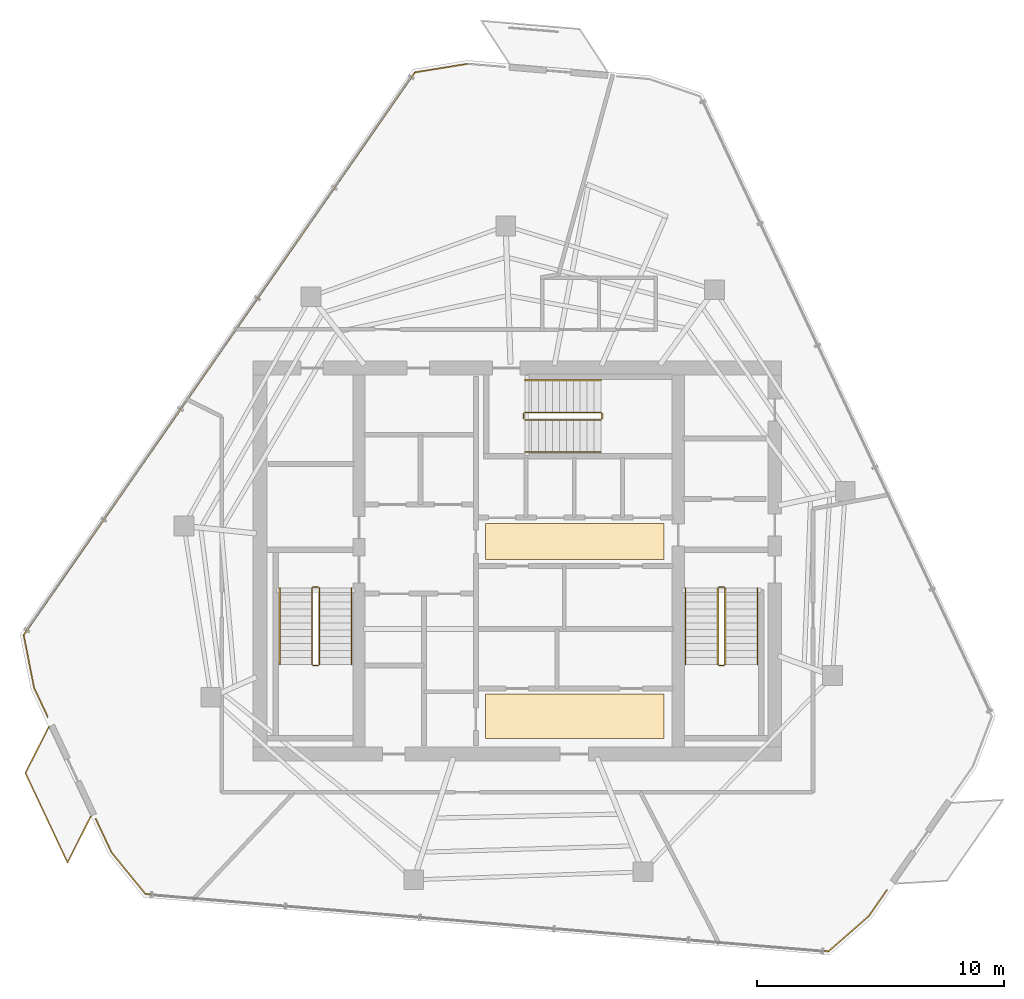
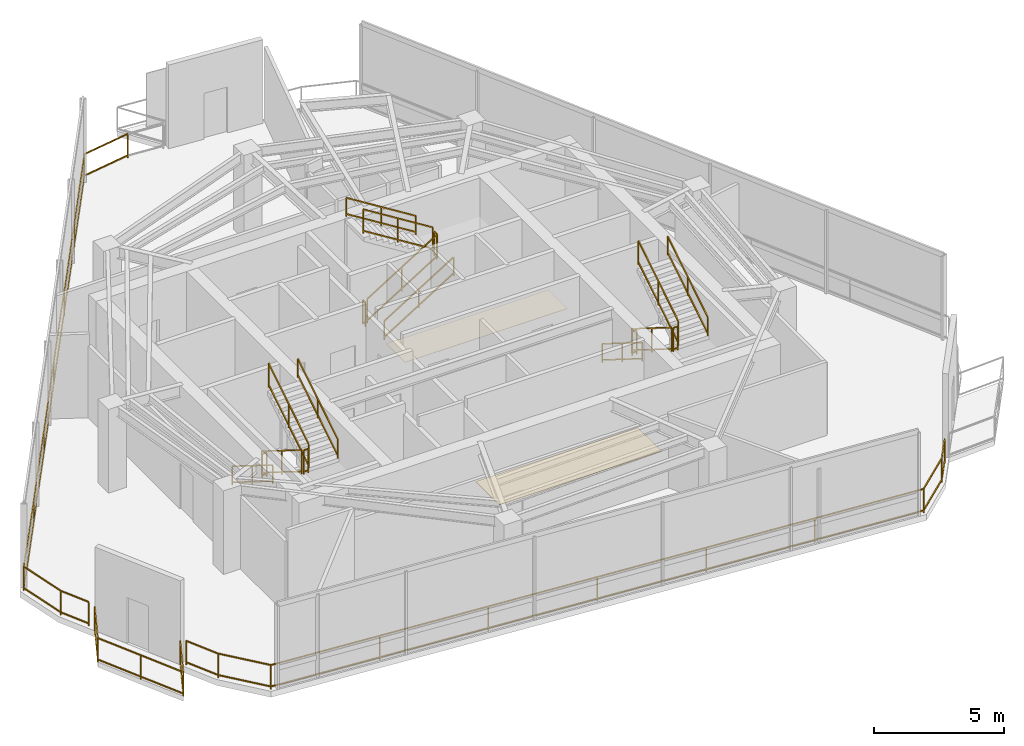
# One storey, part 18 of 19: 21 railings, 2 coverings.
"""IFC4 building model written with IfcOpenShell, lengths in metres."""

from ifc_helpers import new_model, si_unit, direction, frame, origin, origin_2d, place, context, subcontext, project, spatial, rectangle, extrude, material, layer, layer_set, type_object, element, save


model = new_model("IFC4")

# Units and contexts
model_context = context("Model", 3, precision=1e-05, world=origin(), true_north=direction((0.0, 1.0)))
body_context = subcontext(model_context, "Body", "Model", "MODEL_VIEW")
ifc_project = project(units=[si_unit("LENGTHUNIT", "METRE"), si_unit("AREAUNIT", "SQUARE_METRE"), si_unit("VOLUMEUNIT", "CUBIC_METRE"), si_unit("PLANEANGLEUNIT", "RADIAN"), si_unit("MASSUNIT", "GRAM", prefix="KILO")], contexts=[model_context])

# Site, building, storey
site_placement = place(None, origin())
site = spatial("IfcSite", under=ifc_project, at=site_placement, CompositionType="ELEMENT")
building_placement = place(site_placement, origin())
building = spatial("IfcBuilding", under=site, at=building_placement, Name="Qarnah Convention Tower", CompositionType="ELEMENT")
storey_placement = place(building_placement, frame((0.0, 0.0, 275.10009765625)))
storey = spatial("IfcBuildingStorey", under=building, at=storey_placement, Name="L74", CompositionType="ELEMENT", Elevation=275.10009765625)

# Coverings
ifc_material_1 = material(Name="Mineral fibre acoustic ceiling")
ifc_layer_1 = layer(ifc_material_1, 0.02001953125)
ifc_layer_set_1 = layer_set([ifc_layer_1], Name="Mineral fibre acoustic ceiling")
covering_type_1 = type_object("IfcCoveringType", Name="COV-CEIL-20", PredefinedType="CEILING", material=ifc_layer_set_1)
covering_1_placement = place(storey_placement, frame((39.52001953125, 27.179931640625, 2.289794921875), z_axis=(0.0, 0.0, 1.0), x_axis=(1.0, 0.0, 0.0)))
element("IfcCovering", 1, at=covering_1_placement, inside=storey, type_object=covering_type_1, Name="L74 lift lobby acoustic ceiling", PredefinedType="CEILING", context=body_context, shape_type="SweptSolid", body=[
    extrude(rectangle(XDim=7.199951171875, YDim=1.449951171875, at=origin_2d()), origin(), (0.0, 0.0, 1.0), 0.02001953125),
])
ifc_material_2 = material(Name="Porcelain stone floor tile", Category="masonry")
ifc_layer_2 = layer(ifc_material_2, 0.02001953125)
ifc_layer_set_2 = layer_set([ifc_layer_2], Name="Porcelain stone floor tile")
covering_type_2 = type_object("IfcCoveringType", Name="COV-FLOOR-20", PredefinedType="FLOORING", material=ifc_layer_set_2)
covering_2_placement = place(storey_placement, frame((39.52001953125, 20.1201171875, 0.0), z_axis=(0.0, 0.0, 1.0), x_axis=(1.0, 0.0, 0.0)))
element("IfcCovering", 2, at=covering_2_placement, inside=storey, type_object=covering_type_2, Name="L74 lift lobby porcelain stone flooring", PredefinedType="FLOORING", context=body_context, shape_type="SweptSolid", body=[
    extrude(rectangle(XDim=7.199951171875, YDim=1.800048828125, at=origin_2d()), origin(), (0.0, 0.0, 1.0), 0.02001953125),
])

# Railings
ifc_material_3 = material(Name="Black anodised aluminium", Category="aluminium")
railing_type_1 = type_object("IfcRailingType", Name="RL-EXT-GUARD-1150", PredefinedType="GUARDRAIL", material=ifc_material_3)
railing_1_placement = place(storey_placement, frame((52.14208984375, 13.111083984375, 0.0)))
element("IfcRailing", 3, at=railing_1_placement, inside=storey, type_object=railing_type_1, Name="L74 slab-edge perimeter safety guard 03", PredefinedType="GUARDRAIL", context=body_context, shape_type="SweptSolid", body=[
    extrude(rectangle(XDim=0.048095703125, YDim=0.048095703125, at=origin_2d()), frame((0.0, 0.0, 1.1259765625), z_axis=(-0.570671719392, -0.821178292873, 0.0), x_axis=(0.821178292873, -0.570671719392, 0.0)), (0.0, 0.0, 1.0), 1.293212890625),
    extrude(rectangle(XDim=0.048095703125, YDim=0.048095703125, at=origin_2d()), frame((0.0, 0.0, 0.1201171875), z_axis=(-0.570671719392, -0.821178292873, 0.0), x_axis=(0.821178292873, -0.570671719392, 0.0)), (0.0, 0.0, 1.0), 1.293212890625),
    extrude(rectangle(XDim=0.048095703125, YDim=0.048095703125, at=origin_2d()), frame((-0.738037109375, -1.06201171875, 1.1259765625), z_axis=(-0.752430079537, -0.658672130432, 0.0), x_axis=(0.658672130432, -0.752430079537, 0.0)), (0.0, 0.0, 1.0), 2.16650390625),
    extrude(rectangle(XDim=0.048095703125, YDim=0.048095703125, at=origin_2d()), frame((-0.738037109375, -1.06201171875, 0.1201171875), z_axis=(-0.752430079537, -0.658672130432, 0.0), x_axis=(0.658672130432, -0.752430079537, 0.0)), (0.0, 0.0, 1.0), 2.16650390625),
    extrude(rectangle(XDim=0.048095703125, YDim=0.048095703125, at=origin_2d()), frame((-2.3681640625, -2.489013671875, 1.1259765625), z_axis=(-0.996489978798, 0.083712138637, 0.0), x_axis=(-0.083712138637, -0.996489978798, 0.0)), (0.0, 0.0, 1.0), 27.7001953125),
    extrude(rectangle(XDim=0.048095703125, YDim=0.048095703125, at=origin_2d()), frame((-2.3681640625, -2.489013671875, 0.1201171875), z_axis=(-0.996489978798, 0.083712138637, 0.0), x_axis=(-0.083712138637, -0.996489978798, 0.0)), (0.0, 0.0, 1.0), 27.7001953125),
    extrude(rectangle(XDim=0.048095703125, YDim=0.048095703125, at=origin_2d()), frame((-29.97119140625, -0.170166015625, 1.1259765625), z_axis=(-0.632402715703, 0.774639790594, 0.0), x_axis=(-0.774639790594, -0.632402715703, 0.0)), (0.0, 0.0, 1.0), 2.166259765625),
    extrude(rectangle(XDim=0.048095703125, YDim=0.048095703125, at=origin_2d()), frame((-29.97119140625, -0.170166015625, 0.1201171875), z_axis=(-0.632402715703, 0.774639790594, 0.0), x_axis=(-0.774639790594, -0.632402715703, 0.0)), (0.0, 0.0, 1.0), 2.166259765625),
    extrude(rectangle(XDim=0.048095703125, YDim=0.048095703125, at=origin_2d()), frame((-31.341064453125, 1.5078125, 1.1259765625), z_axis=(-0.425593785135, 0.904914321941, 0.0), x_axis=(-0.904914321941, -0.425593785135, 0.0)), (0.0, 0.0, 1.0), 1.504150390625),
    extrude(rectangle(XDim=0.048095703125, YDim=0.048095703125, at=origin_2d()), frame((-31.341064453125, 1.5078125, 0.1201171875), z_axis=(-0.425593785135, 0.904914321941, 0.0), x_axis=(-0.904914321941, -0.425593785135, 0.0)), (0.0, 0.0, 1.0), 1.504150390625),
    extrude(rectangle(XDim=0.0419921875, YDim=0.0419921875, at=origin_2d()), origin(), (0.0, 0.0, 1.0), 1.101806640625),
    extrude(rectangle(XDim=0.0419921875, YDim=0.0419921875, at=origin_2d()), frame((-0.738037109375, -1.06201171875, 0.0)), (0.0, 0.0, 1.0), 1.101806640625),
    extrude(rectangle(XDim=0.0419921875, YDim=0.0419921875, at=origin_2d()), frame((-2.3681640625, -2.489013671875, 0.0)), (0.0, 0.0, 1.0), 1.101806640625),
    extrude(rectangle(XDim=0.0419921875, YDim=0.0419921875, at=origin_2d()), frame((-6.96875, -2.1025390625, 0.0)), (0.0, 0.0, 1.0), 1.101806640625),
    extrude(rectangle(XDim=0.0419921875, YDim=0.0419921875, at=origin_2d()), frame((-11.569091796875, -1.716064453125, 0.0)), (0.0, 0.0, 1.0), 1.101806640625),
    extrude(rectangle(XDim=0.0419921875, YDim=0.0419921875, at=origin_2d()), frame((-16.169677734375, -1.32958984375, 0.0)), (0.0, 0.0, 1.0), 1.101806640625),
    extrude(rectangle(XDim=0.0419921875, YDim=0.0419921875, at=origin_2d()), frame((-20.770263671875, -0.943115234375, 0.0)), (0.0, 0.0, 1.0), 1.101806640625),
    extrude(rectangle(XDim=0.0419921875, YDim=0.0419921875, at=origin_2d()), frame((-25.37060546875, -0.556640625, 0.0)), (0.0, 0.0, 1.0), 1.101806640625),
    extrude(rectangle(XDim=0.0419921875, YDim=0.0419921875, at=origin_2d()), frame((-29.97119140625, -0.170166015625, 0.0)), (0.0, 0.0, 1.0), 1.101806640625),
    extrude(rectangle(XDim=0.0419921875, YDim=0.0419921875, at=origin_2d()), frame((-31.341064453125, 1.5078125, 0.0)), (0.0, 0.0, 1.0), 1.101806640625),
    extrude(rectangle(XDim=0.0419921875, YDim=0.0419921875, at=origin_2d()), frame((-31.981201171875, 2.868896484375, 0.0)), (0.0, 0.0, 1.0), 1.101806640625),
])
railing_2_placement = place(storey_placement, frame((18.219970703125, 20.10400390625, 0.0)))
element("IfcRailing", 4, at=railing_2_placement, inside=storey, type_object=railing_type_1, Name="L74 slab-edge perimeter safety guard 04", PredefinedType="GUARDRAIL", context=body_context, shape_type="SweptSolid", body=[
    extrude(rectangle(XDim=0.048095703125, YDim=0.048095703125, at=origin_2d()), frame((0.0, 0.0, 1.1259765625), z_axis=(-0.425478693675, 0.904968442118, 0.0), x_axis=(-0.904968442118, -0.425478693675, 0.0)), (0.0, 0.0, 1.0), 1.292724609375),
    extrude(rectangle(XDim=0.048095703125, YDim=0.048095703125, at=origin_2d()), frame((0.0, 0.0, 0.1201171875), z_axis=(-0.425478693675, 0.904968442118, 0.0), x_axis=(-0.904968442118, -0.425478693675, 0.0)), (0.0, 0.0, 1.0), 1.292724609375),
    extrude(rectangle(XDim=0.048095703125, YDim=0.048095703125, at=origin_2d()), frame((-0.550048828125, 1.169921875, 1.1259765625), z_axis=(-0.194209372311, 0.980960100976, 0.0), x_axis=(-0.980960100976, -0.194209372311, 0.0)), (0.0, 0.0, 1.0), 2.167236328125),
    extrude(rectangle(XDim=0.048095703125, YDim=0.048095703125, at=origin_2d()), frame((-0.550048828125, 1.169921875, 0.1201171875), z_axis=(-0.194209372311, 0.980960100976, 0.0), x_axis=(-0.980960100976, -0.194209372311, 0.0)), (0.0, 0.0, 1.0), 2.167236328125),
    extrude(rectangle(XDim=0.048095703125, YDim=0.048095703125, at=origin_2d()), frame((-0.970947265625, 3.2958984375, 1.1259765625), z_axis=(0.570733377059, 0.821135440905, 0.0), x_axis=(-0.821135440905, 0.570733377059, 0.0)), (0.0, 0.0, 1.0), 27.69970703125),
    extrude(rectangle(XDim=0.048095703125, YDim=0.048095703125, at=origin_2d()), frame((-0.970947265625, 3.2958984375, 0.1201171875), z_axis=(0.570733377059, 0.821135440905, 0.0), x_axis=(-0.821135440905, 0.570733377059, 0.0)), (0.0, 0.0, 1.0), 27.69970703125),
    extrude(rectangle(XDim=0.048095703125, YDim=0.048095703125, at=origin_2d()), frame((14.838134765625, 26.041015625, 1.1259765625), z_axis=(0.987088624458, 0.16017505257, 0.0), x_axis=(-0.16017505257, 0.987088624458, 0.0)), (0.0, 0.0, 1.0), 2.166015625),
    extrude(rectangle(XDim=0.048095703125, YDim=0.048095703125, at=origin_2d()), frame((14.838134765625, 26.041015625, 0.1201171875), z_axis=(0.987088624458, 0.16017505257, 0.0), x_axis=(-0.16017505257, 0.987088624458, 0.0)), (0.0, 0.0, 1.0), 2.166015625),
    extrude(rectangle(XDim=0.0419921875, YDim=0.0419921875, at=origin_2d()), origin(), (0.0, 0.0, 1.0), 1.101806640625),
    extrude(rectangle(XDim=0.0419921875, YDim=0.0419921875, at=origin_2d()), frame((-0.550048828125, 1.169921875, 0.0)), (0.0, 0.0, 1.0), 1.101806640625),
    extrude(rectangle(XDim=0.0419921875, YDim=0.0419921875, at=origin_2d()), frame((-0.970947265625, 3.2958984375, 0.0)), (0.0, 0.0, 1.0), 1.101806640625),
    extrude(rectangle(XDim=0.0419921875, YDim=0.0419921875, at=origin_2d()), frame((1.663818359375, 7.086669921875, 0.0)), (0.0, 0.0, 1.0), 1.101806640625),
    extrude(rectangle(XDim=0.0419921875, YDim=0.0419921875, at=origin_2d()), frame((4.298828125, 10.877685546875, 0.0)), (0.0, 0.0, 1.0), 1.101806640625),
    extrude(rectangle(XDim=0.0419921875, YDim=0.0419921875, at=origin_2d()), frame((6.93359375, 14.66845703125, 0.0)), (0.0, 0.0, 1.0), 1.101806640625),
    extrude(rectangle(XDim=0.0419921875, YDim=0.0419921875, at=origin_2d()), frame((9.568359375, 18.459228515625, 0.0)), (0.0, 0.0, 1.0), 1.101806640625),
    extrude(rectangle(XDim=0.0419921875, YDim=0.0419921875, at=origin_2d()), frame((12.203369140625, 22.250244140625, 0.0)), (0.0, 0.0, 1.0), 1.101806640625),
    extrude(rectangle(XDim=0.0419921875, YDim=0.0419921875, at=origin_2d()), frame((14.838134765625, 26.041015625, 0.0)), (0.0, 0.0, 1.0), 1.101806640625),
    extrude(rectangle(XDim=0.0419921875, YDim=0.0419921875, at=origin_2d()), frame((16.97607421875, 26.387939453125, 0.0)), (0.0, 0.0, 1.0), 1.101806640625),
])
railing_3_placement = place(storey_placement, frame((19.965087890625, 16.0791015625, 0.0)))
element("IfcRailing", 5, at=railing_3_placement, inside=storey, type_object=railing_type_1, Name="L74 balcony safety guard BAL-L74-C2", PredefinedType="GUARDRAIL", context=body_context, shape_type="SweptSolid", body=[
    extrude(rectangle(XDim=0.048095703125, YDim=0.048095703125, at=origin_2d()), frame((0.0, 0.0, 1.1259765625), z_axis=(-0.451035197524, -0.892506162777, 0.0), x_axis=(0.892506162777, -0.451035197524, 0.0)), (0.0, 0.0, 1.0), 2.09326171875),
    extrude(rectangle(XDim=0.048095703125, YDim=0.048095703125, at=origin_2d()), frame((0.0, 0.0, 0.1201171875), z_axis=(-0.451035197524, -0.892506162777, 0.0), x_axis=(0.892506162777, -0.451035197524, 0.0)), (0.0, 0.0, 1.0), 2.09326171875),
    extrude(rectangle(XDim=0.048095703125, YDim=0.048095703125, at=origin_2d()), frame((-0.944091796875, -1.8681640625, 1.1259765625), z_axis=(-0.425747063237, 0.904842217265, 0.0), x_axis=(-0.904842217265, -0.425747063237, 0.0)), (0.0, 0.0, 1.0), 3.999755859375),
    extrude(rectangle(XDim=0.048095703125, YDim=0.048095703125, at=origin_2d()), frame((-0.944091796875, -1.8681640625, 0.1201171875), z_axis=(-0.425747063237, 0.904842217265, 0.0), x_axis=(-0.904842217265, -0.425747063237, 0.0)), (0.0, 0.0, 1.0), 3.999755859375),
    extrude(rectangle(XDim=0.048095703125, YDim=0.048095703125, at=origin_2d()), frame((-2.64697265625, 1.7509765625, 1.1259765625), z_axis=(0.450801476323, 0.892624237261, 0.0), x_axis=(-0.892624237261, 0.450801476323, 0.0)), (0.0, 0.0, 1.0), 2.09375),
    extrude(rectangle(XDim=0.048095703125, YDim=0.048095703125, at=origin_2d()), frame((-2.64697265625, 1.7509765625, 0.1201171875), z_axis=(0.450801476323, 0.892624237261, 0.0), x_axis=(-0.892624237261, 0.450801476323, 0.0)), (0.0, 0.0, 1.0), 2.09375),
    extrude(rectangle(XDim=0.0419921875, YDim=0.0419921875, at=origin_2d()), origin(), (0.0, 0.0, 1.0), 1.101806640625),
    extrude(rectangle(XDim=0.0419921875, YDim=0.0419921875, at=origin_2d()), frame((-0.944091796875, -1.8681640625, 0.0)), (0.0, 0.0, 1.0), 1.101806640625),
    extrude(rectangle(XDim=0.0419921875, YDim=0.0419921875, at=origin_2d()), frame((-1.79541015625, -0.05859375, 0.0)), (0.0, 0.0, 1.0), 1.101806640625),
    extrude(rectangle(XDim=0.0419921875, YDim=0.0419921875, at=origin_2d()), frame((-2.64697265625, 1.7509765625, 0.0)), (0.0, 0.0, 1.0), 1.101806640625),
    extrude(rectangle(XDim=0.0419921875, YDim=0.0419921875, at=origin_2d()), frame((-1.703125, 3.619873046875, 0.0)), (0.0, 0.0, 1.0), 1.101806640625),
])
ifc_material_4 = material(Name="Structural steel S355JR", Category="steel")
railing_type_2 = type_object("IfcRailingType", Name="RL-STAIR-GUARD-1150", PredefinedType="GUARDRAIL", material=ifc_material_4)
railing_4_placement = place(storey_placement, frame((28.89990234375, 25.300048828125, 0.1748046875)))
element("IfcRailing", 6, at=railing_4_placement, inside=storey, type_object=railing_type_2, Name="L74 ST-1 stair guard 1", PredefinedType="GUARDRAIL", context=body_context, shape_type="SweptSolid", body=[
    extrude(rectangle(XDim=0.048095703125, YDim=0.048095703125, at=origin_2d()), frame((0.0, 0.0, 1.1259765625), z_axis=(0.0, -0.847998304005, 0.529998940003), x_axis=(1.0, 0.0, 0.0)), (0.0, 0.0, 1.0), 3.632080078125),
    extrude(rectangle(XDim=0.048095703125, YDim=0.048095703125, at=origin_2d()), frame((0.0, 0.0, 0.1201171875), z_axis=(0.0, -0.847998304005, 0.529998940003), x_axis=(1.0, 0.0, 0.0)), (0.0, 0.0, 1.0), 3.632080078125),
    extrude(rectangle(XDim=0.0419921875, YDim=0.0419921875, at=origin_2d()), origin(), (0.0, 0.0, 1.0), 1.101806640625),
    extrude(rectangle(XDim=0.0419921875, YDim=0.0419921875, at=origin_2d()), frame((0.0, -1.5400390625, 0.96240234375)), (0.0, 0.0, 1.0), 1.101806640625),
    extrude(rectangle(XDim=0.0419921875, YDim=0.0419921875, at=origin_2d()), frame((0.0, -3.080078125, 1.925048828125)), (0.0, 0.0, 1.0), 1.101806640625),
])
railing_5_placement = place(storey_placement, frame((28.949951171875, 22.169921875, 2.099853515625)))
element("IfcRailing", 7, at=railing_5_placement, inside=storey, type_object=railing_type_2, Name="L74 ST-1 stair guard 2", PredefinedType="GUARDRAIL", context=body_context, shape_type="SweptSolid", body=[
    extrude(rectangle(XDim=0.048095703125, YDim=0.048095703125, at=origin_2d()), frame((0.0, 0.0, 1.1259765625), z_axis=(1.0, 0.0, 0.0), x_axis=(0.0, 1.0, 0.0)), (0.0, 0.0, 1.0), 0.199951171875),
    extrude(rectangle(XDim=0.048095703125, YDim=0.048095703125, at=origin_2d()), frame((0.0, 0.0, 0.1201171875), z_axis=(1.0, 0.0, 0.0), x_axis=(0.0, 1.0, 0.0)), (0.0, 0.0, 1.0), 0.199951171875),
    extrude(rectangle(XDim=0.0419921875, YDim=0.0419921875, at=origin_2d()), origin(), (0.0, 0.0, 1.0), 1.101806640625),
    extrude(rectangle(XDim=0.0419921875, YDim=0.0419921875, at=origin_2d()), frame((0.199951171875, 0.0, 0.0)), (0.0, 0.0, 1.0), 1.101806640625),
])
railing_6_placement = place(storey_placement, frame((29.199951171875, 22.219970703125, 2.27490234375)))
element("IfcRailing", 8, at=railing_6_placement, inside=storey, type_object=railing_type_2, Name="L74 ST-1 stair guard 3", PredefinedType="GUARDRAIL", context=body_context, shape_type="SweptSolid", body=[
    extrude(rectangle(XDim=0.048095703125, YDim=0.048095703125, at=origin_2d()), frame((0.0, 0.0, 1.1259765625), z_axis=(0.0, 0.847998304005, 0.529998940003), x_axis=(-1.0, 0.0, 0.0)), (0.0, 0.0, 1.0), 3.632080078125),
    extrude(rectangle(XDim=0.048095703125, YDim=0.048095703125, at=origin_2d()), frame((0.0, 0.0, 0.1201171875), z_axis=(0.0, 0.847998304005, 0.529998940003), x_axis=(-1.0, 0.0, 0.0)), (0.0, 0.0, 1.0), 3.632080078125),
    extrude(rectangle(XDim=0.0419921875, YDim=0.0419921875, at=origin_2d()), origin(), (0.0, 0.0, 1.0), 1.101806640625),
    extrude(rectangle(XDim=0.0419921875, YDim=0.0419921875, at=origin_2d()), frame((0.0, 1.5400390625, 0.96240234375)), (0.0, 0.0, 1.0), 1.101806640625),
    extrude(rectangle(XDim=0.0419921875, YDim=0.0419921875, at=origin_2d()), frame((0.0, 3.080078125, 1.925048828125)), (0.0, 0.0, 1.0), 1.101806640625),
])
railing_7_placement = place(storey_placement, frame((28.949951171875, 25.35009765625, 0.0)))
element("IfcRailing", 9, at=railing_7_placement, inside=storey, type_object=railing_type_2, Name="L74 ST-1 stair guard 4", PredefinedType="GUARDRAIL", context=body_context, shape_type="SweptSolid", body=[
    extrude(rectangle(XDim=0.048095703125, YDim=0.048095703125, at=origin_2d()), frame((0.0, 0.0, 1.1259765625), z_axis=(1.0, 0.0, 0.0), x_axis=(0.0, 1.0, 0.0)), (0.0, 0.0, 1.0), 0.199951171875),
    extrude(rectangle(XDim=0.048095703125, YDim=0.048095703125, at=origin_2d()), frame((0.0, 0.0, 0.1201171875), z_axis=(1.0, 0.0, 0.0), x_axis=(0.0, 1.0, 0.0)), (0.0, 0.0, 1.0), 0.199951171875),
    extrude(rectangle(XDim=0.0419921875, YDim=0.0419921875, at=origin_2d()), origin(), (0.0, 0.0, 1.0), 1.101806640625),
    extrude(rectangle(XDim=0.0419921875, YDim=0.0419921875, at=origin_2d()), frame((0.199951171875, 0.0, 0.0)), (0.0, 0.0, 1.0), 1.101806640625),
])
railing_8_placement = place(storey_placement, frame((45.300048828125, 25.300048828125, 0.1748046875)))
element("IfcRailing", 10, at=railing_8_placement, inside=storey, type_object=railing_type_2, Name="L74 ST-2 stair guard 1", PredefinedType="GUARDRAIL", context=body_context, shape_type="SweptSolid", body=[
    extrude(rectangle(XDim=0.048095703125, YDim=0.048095703125, at=origin_2d()), frame((0.0, 0.0, 1.1259765625), z_axis=(0.0, -0.847998304005, 0.529998940003), x_axis=(1.0, 0.0, 0.0)), (0.0, 0.0, 1.0), 3.632080078125),
    extrude(rectangle(XDim=0.048095703125, YDim=0.048095703125, at=origin_2d()), frame((0.0, 0.0, 0.1201171875), z_axis=(0.0, -0.847998304005, 0.529998940003), x_axis=(1.0, 0.0, 0.0)), (0.0, 0.0, 1.0), 3.632080078125),
    extrude(rectangle(XDim=0.0419921875, YDim=0.0419921875, at=origin_2d()), origin(), (0.0, 0.0, 1.0), 1.101806640625),
    extrude(rectangle(XDim=0.0419921875, YDim=0.0419921875, at=origin_2d()), frame((0.0, -1.5400390625, 0.96240234375)), (0.0, 0.0, 1.0), 1.101806640625),
    extrude(rectangle(XDim=0.0419921875, YDim=0.0419921875, at=origin_2d()), frame((0.0, -3.080078125, 1.925048828125)), (0.0, 0.0, 1.0), 1.101806640625),
])
railing_9_placement = place(storey_placement, frame((45.35009765625, 22.169921875, 2.099853515625)))
element("IfcRailing", 11, at=railing_9_placement, inside=storey, type_object=railing_type_2, Name="L74 ST-2 stair guard 2", PredefinedType="GUARDRAIL", context=body_context, shape_type="SweptSolid", body=[
    extrude(rectangle(XDim=0.048095703125, YDim=0.048095703125, at=origin_2d()), frame((0.0, 0.0, 1.1259765625), z_axis=(1.0, 0.0, 0.0), x_axis=(0.0, 1.0, 0.0)), (0.0, 0.0, 1.0), 0.199951171875),
    extrude(rectangle(XDim=0.048095703125, YDim=0.048095703125, at=origin_2d()), frame((0.0, 0.0, 0.1201171875), z_axis=(1.0, 0.0, 0.0), x_axis=(0.0, 1.0, 0.0)), (0.0, 0.0, 1.0), 0.199951171875),
    extrude(rectangle(XDim=0.0419921875, YDim=0.0419921875, at=origin_2d()), origin(), (0.0, 0.0, 1.0), 1.101806640625),
    extrude(rectangle(XDim=0.0419921875, YDim=0.0419921875, at=origin_2d()), frame((0.199951171875, 0.0, 0.0)), (0.0, 0.0, 1.0), 1.101806640625),
])
railing_10_placement = place(storey_placement, frame((45.60009765625, 22.219970703125, 2.27490234375)))
element("IfcRailing", 12, at=railing_10_placement, inside=storey, type_object=railing_type_2, Name="L74 ST-2 stair guard 3", PredefinedType="GUARDRAIL", context=body_context, shape_type="SweptSolid", body=[
    extrude(rectangle(XDim=0.048095703125, YDim=0.048095703125, at=origin_2d()), frame((0.0, 0.0, 1.1259765625), z_axis=(0.0, 0.847998304005, 0.529998940003), x_axis=(-1.0, 0.0, 0.0)), (0.0, 0.0, 1.0), 3.632080078125),
    extrude(rectangle(XDim=0.048095703125, YDim=0.048095703125, at=origin_2d()), frame((0.0, 0.0, 0.1201171875), z_axis=(0.0, 0.847998304005, 0.529998940003), x_axis=(-1.0, 0.0, 0.0)), (0.0, 0.0, 1.0), 3.632080078125),
    extrude(rectangle(XDim=0.0419921875, YDim=0.0419921875, at=origin_2d()), origin(), (0.0, 0.0, 1.0), 1.101806640625),
    extrude(rectangle(XDim=0.0419921875, YDim=0.0419921875, at=origin_2d()), frame((0.0, 1.5400390625, 0.96240234375)), (0.0, 0.0, 1.0), 1.101806640625),
    extrude(rectangle(XDim=0.0419921875, YDim=0.0419921875, at=origin_2d()), frame((0.0, 3.080078125, 1.925048828125)), (0.0, 0.0, 1.0), 1.101806640625),
])
railing_11_placement = place(storey_placement, frame((45.35009765625, 25.35009765625, 0.0)))
element("IfcRailing", 13, at=railing_11_placement, inside=storey, type_object=railing_type_2, Name="L74 ST-2 stair guard 4", PredefinedType="GUARDRAIL", context=body_context, shape_type="SweptSolid", body=[
    extrude(rectangle(XDim=0.048095703125, YDim=0.048095703125, at=origin_2d()), frame((0.0, 0.0, 1.1259765625), z_axis=(1.0, 0.0, 0.0), x_axis=(0.0, 1.0, 0.0)), (0.0, 0.0, 1.0), 0.199951171875),
    extrude(rectangle(XDim=0.048095703125, YDim=0.048095703125, at=origin_2d()), frame((0.0, 0.0, 0.1201171875), z_axis=(1.0, 0.0, 0.0), x_axis=(0.0, 1.0, 0.0)), (0.0, 0.0, 1.0), 0.199951171875),
    extrude(rectangle(XDim=0.0419921875, YDim=0.0419921875, at=origin_2d()), origin(), (0.0, 0.0, 1.0), 1.101806640625),
    extrude(rectangle(XDim=0.0419921875, YDim=0.0419921875, at=origin_2d()), frame((0.199951171875, 0.0, 0.0)), (0.0, 0.0, 1.0), 1.101806640625),
])
railing_12_placement = place(storey_placement, frame((37.5, 32.10009765625, 0.1748046875)))
element("IfcRailing", 14, at=railing_12_placement, inside=storey, type_object=railing_type_2, Name="L74 ST-3 stair guard 1", PredefinedType="GUARDRAIL", context=body_context, shape_type="SweptSolid", body=[
    extrude(rectangle(XDim=0.048095703125, YDim=0.048095703125, at=origin_2d()), frame((0.0, 0.0, 1.1259765625), z_axis=(0.847998304005, 0.0, 0.529998940003), x_axis=(0.0, 1.0, 0.0)), (0.0, 0.0, 1.0), 3.632080078125),
    extrude(rectangle(XDim=0.048095703125, YDim=0.048095703125, at=origin_2d()), frame((0.0, 0.0, 0.1201171875), z_axis=(0.847998304005, 0.0, 0.529998940003), x_axis=(0.0, 1.0, 0.0)), (0.0, 0.0, 1.0), 3.632080078125),
    extrude(rectangle(XDim=0.0419921875, YDim=0.0419921875, at=origin_2d()), origin(), (0.0, 0.0, 1.0), 1.101806640625),
    extrude(rectangle(XDim=0.0419921875, YDim=0.0419921875, at=origin_2d()), frame((1.5400390625, 0.0, 0.96240234375)), (0.0, 0.0, 1.0), 1.101806640625),
    extrude(rectangle(XDim=0.0419921875, YDim=0.0419921875, at=origin_2d()), frame((3.080078125, 0.0, 1.925048828125)), (0.0, 0.0, 1.0), 1.101806640625),
])
railing_13_placement = place(storey_placement, frame((40.6298828125, 32.14990234375, 2.099853515625)))
element("IfcRailing", 15, at=railing_13_placement, inside=storey, type_object=railing_type_2, Name="L74 ST-3 stair guard 2", PredefinedType="GUARDRAIL", context=body_context, shape_type="SweptSolid", body=[
    extrude(rectangle(XDim=0.048095703125, YDim=0.048095703125, at=origin_2d()), frame((0.0, 0.0, 1.1259765625), z_axis=(0.0, 1.0, 0.0), x_axis=(-1.0, 0.0, 0.0)), (0.0, 0.0, 1.0), 0.2001953125),
    extrude(rectangle(XDim=0.048095703125, YDim=0.048095703125, at=origin_2d()), frame((0.0, 0.0, 0.1201171875), z_axis=(0.0, 1.0, 0.0), x_axis=(-1.0, 0.0, 0.0)), (0.0, 0.0, 1.0), 0.2001953125),
    extrude(rectangle(XDim=0.0419921875, YDim=0.0419921875, at=origin_2d()), origin(), (0.0, 0.0, 1.0), 1.101806640625),
    extrude(rectangle(XDim=0.0419921875, YDim=0.0419921875, at=origin_2d()), frame((0.0, 0.2001953125, 0.0)), (0.0, 0.0, 1.0), 1.101806640625),
])
railing_14_placement = place(storey_placement, frame((40.580078125, 32.39990234375, 2.27490234375)))
element("IfcRailing", 16, at=railing_14_placement, inside=storey, type_object=railing_type_2, Name="L74 ST-3 stair guard 3", PredefinedType="GUARDRAIL", context=body_context, shape_type="SweptSolid", body=[
    extrude(rectangle(XDim=0.048095703125, YDim=0.048095703125, at=origin_2d()), frame((0.0, 0.0, 1.1259765625), z_axis=(-0.847998304005, 0.0, 0.529998940003), x_axis=(0.0, -1.0, 0.0)), (0.0, 0.0, 1.0), 3.632080078125),
    extrude(rectangle(XDim=0.048095703125, YDim=0.048095703125, at=origin_2d()), frame((0.0, 0.0, 0.1201171875), z_axis=(-0.847998304005, 0.0, 0.529998940003), x_axis=(0.0, -1.0, 0.0)), (0.0, 0.0, 1.0), 3.632080078125),
    extrude(rectangle(XDim=0.0419921875, YDim=0.0419921875, at=origin_2d()), origin(), (0.0, 0.0, 1.0), 1.101806640625),
    extrude(rectangle(XDim=0.0419921875, YDim=0.0419921875, at=origin_2d()), frame((-1.5400390625, 0.0, 0.96240234375)), (0.0, 0.0, 1.0), 1.101806640625),
    extrude(rectangle(XDim=0.0419921875, YDim=0.0419921875, at=origin_2d()), frame((-3.080078125, 0.0, 1.925048828125)), (0.0, 0.0, 1.0), 1.101806640625),
])
railing_15_placement = place(storey_placement, frame((37.449951171875, 32.14990234375, 0.0)))
element("IfcRailing", 17, at=railing_15_placement, inside=storey, type_object=railing_type_2, Name="L74 ST-3 stair guard 4", PredefinedType="GUARDRAIL", context=body_context, shape_type="SweptSolid", body=[
    extrude(rectangle(XDim=0.048095703125, YDim=0.048095703125, at=origin_2d()), frame((0.0, 0.0, 1.1259765625), z_axis=(0.0, 1.0, 0.0), x_axis=(-1.0, 0.0, 0.0)), (0.0, 0.0, 1.0), 0.2001953125),
    extrude(rectangle(XDim=0.048095703125, YDim=0.048095703125, at=origin_2d()), frame((0.0, 0.0, 0.1201171875), z_axis=(0.0, 1.0, 0.0), x_axis=(-1.0, 0.0, 0.0)), (0.0, 0.0, 1.0), 0.2001953125),
    extrude(rectangle(XDim=0.0419921875, YDim=0.0419921875, at=origin_2d()), origin(), (0.0, 0.0, 1.0), 1.101806640625),
    extrude(rectangle(XDim=0.0419921875, YDim=0.0419921875, at=origin_2d()), frame((0.0, 0.2001953125, 0.0)), (0.0, 0.0, 1.0), 1.101806640625),
])
railing_type_3 = type_object("IfcRailingType", Name="RL-STAIR-HAND-900", PredefinedType="HANDRAIL", material=ifc_material_4)
railing_16_placement = place(storey_placement, frame((27.60009765625, 25.300048828125, 0.1748046875)))
element("IfcRailing", 18, at=railing_16_placement, inside=storey, type_object=railing_type_3, Name="L74 ST-1 stair handrail 1", PredefinedType="HANDRAIL", context=body_context, shape_type="SweptSolid", body=[
    extrude(rectangle(XDim=0.048095703125, YDim=0.048095703125, at=origin_2d()), frame((0.0, 0.0, 0.8759765625), z_axis=(0.0, -0.847998304005, 0.529998940003), x_axis=(1.0, 0.0, 0.0)), (0.0, 0.0, 1.0), 3.632080078125),
    extrude(rectangle(XDim=0.048095703125, YDim=0.048095703125, at=origin_2d()), frame((0.0, 0.0, 0.1201171875), z_axis=(0.0, -0.847998304005, 0.529998940003), x_axis=(1.0, 0.0, 0.0)), (0.0, 0.0, 1.0), 3.632080078125),
    extrude(rectangle(XDim=0.0419921875, YDim=0.0419921875, at=origin_2d()), origin(), (0.0, 0.0, 1.0), 0.851806640625),
    extrude(rectangle(XDim=0.0419921875, YDim=0.0419921875, at=origin_2d()), frame((0.0, -1.5400390625, 0.96240234375)), (0.0, 0.0, 1.0), 0.851806640625),
    extrude(rectangle(XDim=0.0419921875, YDim=0.0419921875, at=origin_2d()), frame((0.0, -3.080078125, 1.925048828125)), (0.0, 0.0, 1.0), 0.851806640625),
])
railing_17_placement = place(storey_placement, frame((30.5, 22.219970703125, 2.27490234375)))
element("IfcRailing", 19, at=railing_17_placement, inside=storey, type_object=railing_type_3, Name="L74 ST-1 stair handrail 2", PredefinedType="HANDRAIL", context=body_context, shape_type="SweptSolid", body=[
    extrude(rectangle(XDim=0.048095703125, YDim=0.048095703125, at=origin_2d()), frame((0.0, 0.0, 0.8759765625), z_axis=(0.0, 0.847998304005, 0.529998940003), x_axis=(-1.0, 0.0, 0.0)), (0.0, 0.0, 1.0), 3.632080078125),
    extrude(rectangle(XDim=0.048095703125, YDim=0.048095703125, at=origin_2d()), frame((0.0, 0.0, 0.1201171875), z_axis=(0.0, 0.847998304005, 0.529998940003), x_axis=(-1.0, 0.0, 0.0)), (0.0, 0.0, 1.0), 3.632080078125),
    extrude(rectangle(XDim=0.0419921875, YDim=0.0419921875, at=origin_2d()), origin(), (0.0, 0.0, 1.0), 0.851806640625),
    extrude(rectangle(XDim=0.0419921875, YDim=0.0419921875, at=origin_2d()), frame((0.0, 1.5400390625, 0.96240234375)), (0.0, 0.0, 1.0), 0.851806640625),
    extrude(rectangle(XDim=0.0419921875, YDim=0.0419921875, at=origin_2d()), frame((0.0, 3.080078125, 1.925048828125)), (0.0, 0.0, 1.0), 0.851806640625),
])
railing_18_placement = place(storey_placement, frame((44.0, 25.300048828125, 0.1748046875)))
element("IfcRailing", 20, at=railing_18_placement, inside=storey, type_object=railing_type_3, Name="L74 ST-2 stair handrail 1", PredefinedType="HANDRAIL", context=body_context, shape_type="SweptSolid", body=[
    extrude(rectangle(XDim=0.048095703125, YDim=0.048095703125, at=origin_2d()), frame((0.0, 0.0, 0.8759765625), z_axis=(0.0, -0.847998304005, 0.529998940003), x_axis=(1.0, 0.0, 0.0)), (0.0, 0.0, 1.0), 3.632080078125),
    extrude(rectangle(XDim=0.048095703125, YDim=0.048095703125, at=origin_2d()), frame((0.0, 0.0, 0.1201171875), z_axis=(0.0, -0.847998304005, 0.529998940003), x_axis=(1.0, 0.0, 0.0)), (0.0, 0.0, 1.0), 3.632080078125),
    extrude(rectangle(XDim=0.0419921875, YDim=0.0419921875, at=origin_2d()), origin(), (0.0, 0.0, 1.0), 0.851806640625),
    extrude(rectangle(XDim=0.0419921875, YDim=0.0419921875, at=origin_2d()), frame((0.0, -1.5400390625, 0.96240234375)), (0.0, 0.0, 1.0), 0.851806640625),
    extrude(rectangle(XDim=0.0419921875, YDim=0.0419921875, at=origin_2d()), frame((0.0, -3.080078125, 1.925048828125)), (0.0, 0.0, 1.0), 0.851806640625),
])
railing_19_placement = place(storey_placement, frame((46.89990234375, 22.219970703125, 2.27490234375)))
element("IfcRailing", 21, at=railing_19_placement, inside=storey, type_object=railing_type_3, Name="L74 ST-2 stair handrail 2", PredefinedType="HANDRAIL", context=body_context, shape_type="SweptSolid", body=[
    extrude(rectangle(XDim=0.048095703125, YDim=0.048095703125, at=origin_2d()), frame((0.0, 0.0, 0.8759765625), z_axis=(0.0, 0.847998304005, 0.529998940003), x_axis=(-1.0, 0.0, 0.0)), (0.0, 0.0, 1.0), 3.632080078125),
    extrude(rectangle(XDim=0.048095703125, YDim=0.048095703125, at=origin_2d()), frame((0.0, 0.0, 0.1201171875), z_axis=(0.0, 0.847998304005, 0.529998940003), x_axis=(-1.0, 0.0, 0.0)), (0.0, 0.0, 1.0), 3.632080078125),
    extrude(rectangle(XDim=0.0419921875, YDim=0.0419921875, at=origin_2d()), origin(), (0.0, 0.0, 1.0), 0.851806640625),
    extrude(rectangle(XDim=0.0419921875, YDim=0.0419921875, at=origin_2d()), frame((0.0, 1.5400390625, 0.96240234375)), (0.0, 0.0, 1.0), 0.851806640625),
    extrude(rectangle(XDim=0.0419921875, YDim=0.0419921875, at=origin_2d()), frame((0.0, 3.080078125, 1.925048828125)), (0.0, 0.0, 1.0), 0.851806640625),
])
railing_20_placement = place(storey_placement, frame((37.5, 30.800048828125, 0.1748046875)))
element("IfcRailing", 22, at=railing_20_placement, inside=storey, type_object=railing_type_3, Name="L74 ST-3 stair handrail 1", PredefinedType="HANDRAIL", context=body_context, shape_type="SweptSolid", body=[
    extrude(rectangle(XDim=0.048095703125, YDim=0.048095703125, at=origin_2d()), frame((0.0, 0.0, 0.8759765625), z_axis=(0.847998304005, 0.0, 0.529998940003), x_axis=(0.0, 1.0, 0.0)), (0.0, 0.0, 1.0), 3.632080078125),
    extrude(rectangle(XDim=0.048095703125, YDim=0.048095703125, at=origin_2d()), frame((0.0, 0.0, 0.1201171875), z_axis=(0.847998304005, 0.0, 0.529998940003), x_axis=(0.0, 1.0, 0.0)), (0.0, 0.0, 1.0), 3.632080078125),
    extrude(rectangle(XDim=0.0419921875, YDim=0.0419921875, at=origin_2d()), origin(), (0.0, 0.0, 1.0), 0.851806640625),
    extrude(rectangle(XDim=0.0419921875, YDim=0.0419921875, at=origin_2d()), frame((1.5400390625, 0.0, 0.96240234375)), (0.0, 0.0, 1.0), 0.851806640625),
    extrude(rectangle(XDim=0.0419921875, YDim=0.0419921875, at=origin_2d()), frame((3.080078125, 0.0, 1.925048828125)), (0.0, 0.0, 1.0), 0.851806640625),
])
railing_21_placement = place(storey_placement, frame((40.580078125, 33.699951171875, 2.27490234375)))
element("IfcRailing", 23, at=railing_21_placement, inside=storey, type_object=railing_type_3, Name="L74 ST-3 stair handrail 2", PredefinedType="HANDRAIL", context=body_context, shape_type="SweptSolid", body=[
    extrude(rectangle(XDim=0.048095703125, YDim=0.048095703125, at=origin_2d()), frame((0.0, 0.0, 0.8759765625), z_axis=(-0.847998304005, 0.0, 0.529998940003), x_axis=(0.0, -1.0, 0.0)), (0.0, 0.0, 1.0), 3.632080078125),
    extrude(rectangle(XDim=0.048095703125, YDim=0.048095703125, at=origin_2d()), frame((0.0, 0.0, 0.1201171875), z_axis=(-0.847998304005, 0.0, 0.529998940003), x_axis=(0.0, -1.0, 0.0)), (0.0, 0.0, 1.0), 3.632080078125),
    extrude(rectangle(XDim=0.0419921875, YDim=0.0419921875, at=origin_2d()), origin(), (0.0, 0.0, 1.0), 0.851806640625),
    extrude(rectangle(XDim=0.0419921875, YDim=0.0419921875, at=origin_2d()), frame((-1.5400390625, 0.0, 0.96240234375)), (0.0, 0.0, 1.0), 0.851806640625),
    extrude(rectangle(XDim=0.0419921875, YDim=0.0419921875, at=origin_2d()), frame((-3.080078125, 0.0, 1.925048828125)), (0.0, 0.0, 1.0), 0.851806640625),
])

save(model, "model.ifc")
